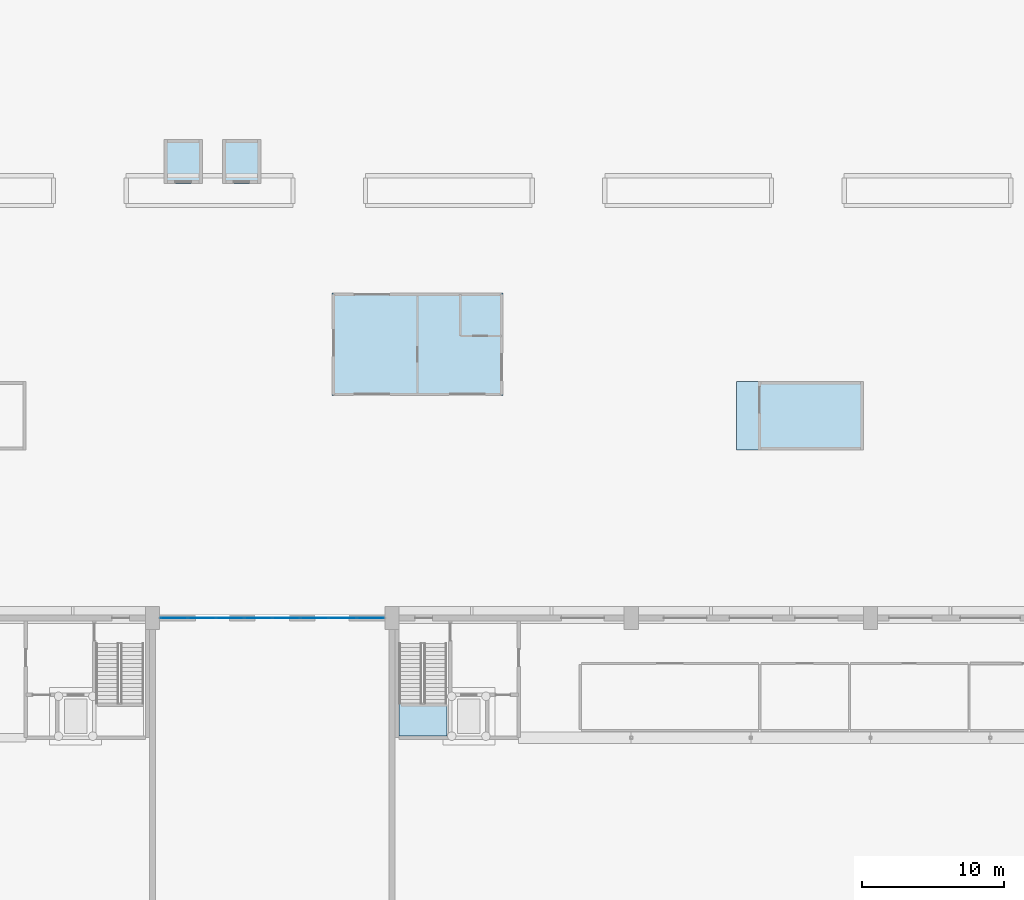
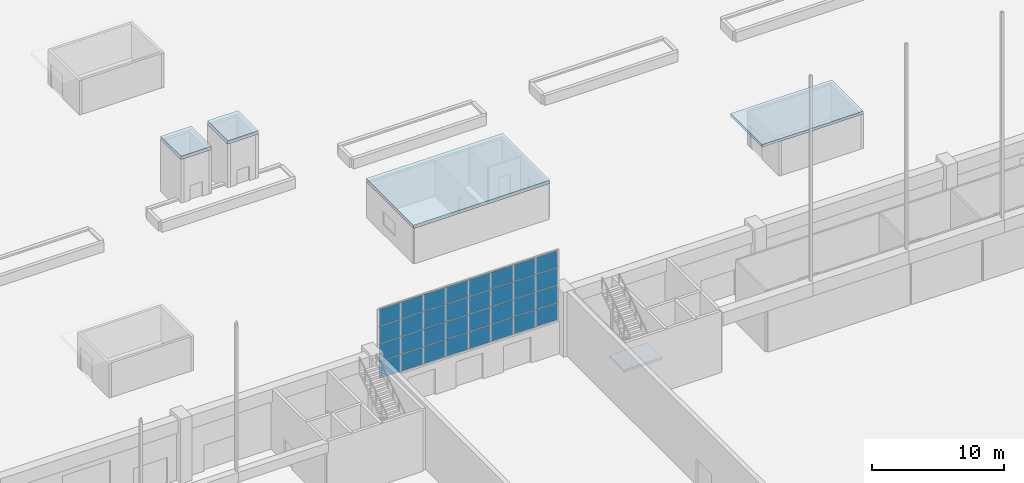
# One storey, part 94 of 210: 32 plates, 5 slabs, 2 elements without a shape of their own.
"""IFC4 building model written with IfcOpenShell, lengths in metres."""

from ifc_helpers import new_model, si_unit, direction, frame, origin, origin_2d, place, context, subcontext, project, spatial, polyline, rectangle, outline, extrude, material, layer, layer_set, type_object, element, aggregate, save


model = new_model("IFC4")

# Units and contexts
model_context = context("Model", 3, precision=1e-05, world=origin(), true_north=direction((0.0, 1.0)))
body_context = subcontext(model_context, "Body", "Model", "MODEL_VIEW")
ifc_project = project(units=[si_unit("LENGTHUNIT", "METRE"), si_unit("AREAUNIT", "SQUARE_METRE"), si_unit("VOLUMEUNIT", "CUBIC_METRE"), si_unit("PLANEANGLEUNIT", "RADIAN"), si_unit("MASSUNIT", "GRAM", prefix="KILO")], contexts=[model_context])

# Site, building, storey
site_placement = place(None, origin())
site = spatial("IfcSite", under=ifc_project, at=site_placement, CompositionType="ELEMENT")
building_placement = place(site_placement, origin())
building = spatial("IfcBuilding", under=site, at=building_placement, Name="Rain Tree Exposition and Congress Centre", CompositionType="ELEMENT")
storey_placement = place(building_placement, origin())
storey = spatial("IfcBuildingStorey", under=building, at=storey_placement, Name="L00", CompositionType="ELEMENT", Elevation=0.0)

# Curtain wall, plates
ifc_material_1 = material(Name="Gable curtain wall 2800 module")
curtain_wall_type = type_object("IfcCurtainWallType", Name="Gable curtain wall 2800 module", PredefinedType="NOTDEFINED", material=ifc_material_1)
curtain_wall_placement = place(storey_placement, origin())
curtain_wall = element("IfcCurtainWall", 1, at=curtain_wall_placement, inside=storey, type_object=curtain_wall_type, Name="Link north curtain wall", PredefinedType="NOTDEFINED")
ifc_material_2 = material(Name="Laminated glass", Category="glass")
ifc_layer_1 = layer(ifc_material_2, 0.028076171875)
ifc_layer_set_1 = layer_set([ifc_layer_1], Name="Laminated glass")
plate_type = type_object("IfcPlateType", Name="Gable glass panel 28", PredefinedType="CURTAIN_PANEL", material=ifc_layer_set_1)
plate_1_placement = place(storey_placement, frame((127.50244140625, 201.60009765625, 3.06005859375), z_axis=(0.0, 0.0, 1.0), x_axis=(1.0, 0.0, 0.0)))
plate_1 = element("IfcPlate", 2, at=plate_1_placement, type_object=plate_type, Name="CWHLN panel 1.1", PredefinedType="CURTAIN_PANEL", context=body_context, shape_type="SweptSolid", body=[
    extrude(rectangle(XDim=1.885009765625, YDim=0.028076171875, at=origin_2d()), origin(), (0.0, 0.0, 1.0), 1.547607421875),
])
plate_2_placement = place(storey_placement, frame((127.50244140625, 201.60009765625, 4.66748046875), z_axis=(0.0, 0.0, 1.0), x_axis=(1.0, 0.0, 0.0)))
plate_2 = element("IfcPlate", 3, at=plate_2_placement, type_object=plate_type, Name="CWHLN panel 1.2", PredefinedType="CURTAIN_PANEL", context=body_context, shape_type="SweptSolid", body=[
    extrude(rectangle(XDim=1.885009765625, YDim=0.028076171875, at=origin_2d()), origin(), (0.0, 0.0, 1.0), 1.577392578125),
])
plate_3_placement = place(storey_placement, frame((127.50244140625, 201.60009765625, 6.30517578125), z_axis=(0.0, 0.0, 1.0), x_axis=(1.0, 0.0, 0.0)))
plate_3 = element("IfcPlate", 4, at=plate_3_placement, type_object=plate_type, Name="CWHLN panel 1.3", PredefinedType="CURTAIN_PANEL", context=body_context, shape_type="SweptSolid", body=[
    extrude(rectangle(XDim=1.885009765625, YDim=0.028076171875, at=origin_2d()), origin(), (0.0, 0.0, 1.0), 1.577392578125),
])
plate_4_placement = place(storey_placement, frame((127.50244140625, 201.60009765625, 7.9423828125), z_axis=(0.0, 0.0, 1.0), x_axis=(1.0, 0.0, 0.0)))
plate_4 = element("IfcPlate", 5, at=plate_4_placement, type_object=plate_type, Name="CWHLN panel 1.4", PredefinedType="CURTAIN_PANEL", context=body_context, shape_type="SweptSolid", body=[
    extrude(rectangle(XDim=1.885009765625, YDim=0.028076171875, at=origin_2d()), origin(), (0.0, 0.0, 1.0), 1.547607421875),
])
plate_5_placement = place(storey_placement, frame((129.46240234375, 201.60009765625, 3.06005859375), z_axis=(0.0, 0.0, 1.0), x_axis=(1.0, 0.0, 0.0)))
plate_5 = element("IfcPlate", 6, at=plate_5_placement, type_object=plate_type, Name="CWHLN panel 2.1", PredefinedType="CURTAIN_PANEL", context=body_context, shape_type="SweptSolid", body=[
    extrude(rectangle(XDim=1.9150390625, YDim=0.028076171875, at=origin_2d()), origin(), (0.0, 0.0, 1.0), 1.547607421875),
])
plate_6_placement = place(storey_placement, frame((129.46240234375, 201.60009765625, 4.66748046875), z_axis=(0.0, 0.0, 1.0), x_axis=(1.0, 0.0, 0.0)))
plate_6 = element("IfcPlate", 7, at=plate_6_placement, type_object=plate_type, Name="CWHLN panel 2.2", PredefinedType="CURTAIN_PANEL", context=body_context, shape_type="SweptSolid", body=[
    extrude(rectangle(XDim=1.9150390625, YDim=0.028076171875, at=origin_2d()), origin(), (0.0, 0.0, 1.0), 1.577392578125),
])
plate_7_placement = place(storey_placement, frame((129.46240234375, 201.60009765625, 6.30517578125), z_axis=(0.0, 0.0, 1.0), x_axis=(1.0, 0.0, 0.0)))
plate_7 = element("IfcPlate", 8, at=plate_7_placement, type_object=plate_type, Name="CWHLN panel 2.3", PredefinedType="CURTAIN_PANEL", context=body_context, shape_type="SweptSolid", body=[
    extrude(rectangle(XDim=1.9150390625, YDim=0.028076171875, at=origin_2d()), origin(), (0.0, 0.0, 1.0), 1.577392578125),
])
plate_8_placement = place(storey_placement, frame((129.46240234375, 201.60009765625, 7.9423828125), z_axis=(0.0, 0.0, 1.0), x_axis=(1.0, 0.0, 0.0)))
plate_8 = element("IfcPlate", 9, at=plate_8_placement, type_object=plate_type, Name="CWHLN panel 2.4", PredefinedType="CURTAIN_PANEL", context=body_context, shape_type="SweptSolid", body=[
    extrude(rectangle(XDim=1.9150390625, YDim=0.028076171875, at=origin_2d()), origin(), (0.0, 0.0, 1.0), 1.547607421875),
])
plate_9_placement = place(storey_placement, frame((131.4375, 201.60009765625, 3.06005859375), z_axis=(0.0, 0.0, 1.0), x_axis=(1.0, 0.0, 0.0)))
plate_9 = element("IfcPlate", 10, at=plate_9_placement, type_object=plate_type, Name="CWHLN panel 3.1", PredefinedType="CURTAIN_PANEL", context=body_context, shape_type="SweptSolid", body=[
    extrude(rectangle(XDim=1.9150390625, YDim=0.028076171875, at=origin_2d()), origin(), (0.0, 0.0, 1.0), 1.547607421875),
])
plate_10_placement = place(storey_placement, frame((131.4375, 201.60009765625, 4.66748046875), z_axis=(0.0, 0.0, 1.0), x_axis=(1.0, 0.0, 0.0)))
plate_10 = element("IfcPlate", 11, at=plate_10_placement, type_object=plate_type, Name="CWHLN panel 3.2", PredefinedType="CURTAIN_PANEL", context=body_context, shape_type="SweptSolid", body=[
    extrude(rectangle(XDim=1.9150390625, YDim=0.028076171875, at=origin_2d()), origin(), (0.0, 0.0, 1.0), 1.577392578125),
])
plate_11_placement = place(storey_placement, frame((131.4375, 201.60009765625, 6.30517578125), z_axis=(0.0, 0.0, 1.0), x_axis=(1.0, 0.0, 0.0)))
plate_11 = element("IfcPlate", 12, at=plate_11_placement, type_object=plate_type, Name="CWHLN panel 3.3", PredefinedType="CURTAIN_PANEL", context=body_context, shape_type="SweptSolid", body=[
    extrude(rectangle(XDim=1.9150390625, YDim=0.028076171875, at=origin_2d()), origin(), (0.0, 0.0, 1.0), 1.577392578125),
])
plate_12_placement = place(storey_placement, frame((131.4375, 201.60009765625, 7.9423828125), z_axis=(0.0, 0.0, 1.0), x_axis=(1.0, 0.0, 0.0)))
plate_12 = element("IfcPlate", 13, at=plate_12_placement, type_object=plate_type, Name="CWHLN panel 3.4", PredefinedType="CURTAIN_PANEL", context=body_context, shape_type="SweptSolid", body=[
    extrude(rectangle(XDim=1.9150390625, YDim=0.028076171875, at=origin_2d()), origin(), (0.0, 0.0, 1.0), 1.547607421875),
])
plate_13_placement = place(storey_placement, frame((133.41259765625, 201.60009765625, 3.06005859375), z_axis=(0.0, 0.0, 1.0), x_axis=(1.0, 0.0, 0.0)))
plate_13 = element("IfcPlate", 14, at=plate_13_placement, type_object=plate_type, Name="CWHLN panel 4.1", PredefinedType="CURTAIN_PANEL", context=body_context, shape_type="SweptSolid", body=[
    extrude(rectangle(XDim=1.9150390625, YDim=0.028076171875, at=origin_2d()), origin(), (0.0, 0.0, 1.0), 1.547607421875),
])
plate_14_placement = place(storey_placement, frame((133.41259765625, 201.60009765625, 4.66748046875), z_axis=(0.0, 0.0, 1.0), x_axis=(1.0, 0.0, 0.0)))
plate_14 = element("IfcPlate", 15, at=plate_14_placement, type_object=plate_type, Name="CWHLN panel 4.2", PredefinedType="CURTAIN_PANEL", context=body_context, shape_type="SweptSolid", body=[
    extrude(rectangle(XDim=1.9150390625, YDim=0.028076171875, at=origin_2d()), origin(), (0.0, 0.0, 1.0), 1.577392578125),
])
plate_15_placement = place(storey_placement, frame((133.41259765625, 201.60009765625, 6.30517578125), z_axis=(0.0, 0.0, 1.0), x_axis=(1.0, 0.0, 0.0)))
plate_15 = element("IfcPlate", 16, at=plate_15_placement, type_object=plate_type, Name="CWHLN panel 4.3", PredefinedType="CURTAIN_PANEL", context=body_context, shape_type="SweptSolid", body=[
    extrude(rectangle(XDim=1.9150390625, YDim=0.028076171875, at=origin_2d()), origin(), (0.0, 0.0, 1.0), 1.577392578125),
])
plate_16_placement = place(storey_placement, frame((133.41259765625, 201.60009765625, 7.9423828125), z_axis=(0.0, 0.0, 1.0), x_axis=(1.0, 0.0, 0.0)))
plate_16 = element("IfcPlate", 17, at=plate_16_placement, type_object=plate_type, Name="CWHLN panel 4.4", PredefinedType="CURTAIN_PANEL", context=body_context, shape_type="SweptSolid", body=[
    extrude(rectangle(XDim=1.9150390625, YDim=0.028076171875, at=origin_2d()), origin(), (0.0, 0.0, 1.0), 1.547607421875),
])
plate_17_placement = place(storey_placement, frame((135.387451171875, 201.60009765625, 3.06005859375), z_axis=(0.0, 0.0, 1.0), x_axis=(1.0, 0.0, 0.0)))
plate_17 = element("IfcPlate", 18, at=plate_17_placement, type_object=plate_type, Name="CWHLN panel 5.1", PredefinedType="CURTAIN_PANEL", context=body_context, shape_type="SweptSolid", body=[
    extrude(rectangle(XDim=1.9150390625, YDim=0.028076171875, at=origin_2d()), origin(), (0.0, 0.0, 1.0), 1.547607421875),
])
plate_18_placement = place(storey_placement, frame((135.387451171875, 201.60009765625, 4.66748046875), z_axis=(0.0, 0.0, 1.0), x_axis=(1.0, 0.0, 0.0)))
plate_18 = element("IfcPlate", 19, at=plate_18_placement, type_object=plate_type, Name="CWHLN panel 5.2", PredefinedType="CURTAIN_PANEL", context=body_context, shape_type="SweptSolid", body=[
    extrude(rectangle(XDim=1.9150390625, YDim=0.028076171875, at=origin_2d()), origin(), (0.0, 0.0, 1.0), 1.577392578125),
])
plate_19_placement = place(storey_placement, frame((135.387451171875, 201.60009765625, 6.30517578125), z_axis=(0.0, 0.0, 1.0), x_axis=(1.0, 0.0, 0.0)))
plate_19 = element("IfcPlate", 20, at=plate_19_placement, type_object=plate_type, Name="CWHLN panel 5.3", PredefinedType="CURTAIN_PANEL", context=body_context, shape_type="SweptSolid", body=[
    extrude(rectangle(XDim=1.9150390625, YDim=0.028076171875, at=origin_2d()), origin(), (0.0, 0.0, 1.0), 1.577392578125),
])
plate_20_placement = place(storey_placement, frame((135.387451171875, 201.60009765625, 7.9423828125), z_axis=(0.0, 0.0, 1.0), x_axis=(1.0, 0.0, 0.0)))
plate_20 = element("IfcPlate", 21, at=plate_20_placement, type_object=plate_type, Name="CWHLN panel 5.4", PredefinedType="CURTAIN_PANEL", context=body_context, shape_type="SweptSolid", body=[
    extrude(rectangle(XDim=1.9150390625, YDim=0.028076171875, at=origin_2d()), origin(), (0.0, 0.0, 1.0), 1.547607421875),
])
plate_21_placement = place(storey_placement, frame((137.362548828125, 201.60009765625, 3.06005859375), z_axis=(0.0, 0.0, 1.0), x_axis=(1.0, 0.0, 0.0)))
plate_21 = element("IfcPlate", 22, at=plate_21_placement, type_object=plate_type, Name="CWHLN panel 6.1", PredefinedType="CURTAIN_PANEL", context=body_context, shape_type="SweptSolid", body=[
    extrude(rectangle(XDim=1.9150390625, YDim=0.028076171875, at=origin_2d()), origin(), (0.0, 0.0, 1.0), 1.547607421875),
])
plate_22_placement = place(storey_placement, frame((137.362548828125, 201.60009765625, 4.66748046875), z_axis=(0.0, 0.0, 1.0), x_axis=(1.0, 0.0, 0.0)))
plate_22 = element("IfcPlate", 23, at=plate_22_placement, type_object=plate_type, Name="CWHLN panel 6.2", PredefinedType="CURTAIN_PANEL", context=body_context, shape_type="SweptSolid", body=[
    extrude(rectangle(XDim=1.9150390625, YDim=0.028076171875, at=origin_2d()), origin(), (0.0, 0.0, 1.0), 1.577392578125),
])
plate_23_placement = place(storey_placement, frame((137.362548828125, 201.60009765625, 6.30517578125), z_axis=(0.0, 0.0, 1.0), x_axis=(1.0, 0.0, 0.0)))
plate_23 = element("IfcPlate", 24, at=plate_23_placement, type_object=plate_type, Name="CWHLN panel 6.3", PredefinedType="CURTAIN_PANEL", context=body_context, shape_type="SweptSolid", body=[
    extrude(rectangle(XDim=1.9150390625, YDim=0.028076171875, at=origin_2d()), origin(), (0.0, 0.0, 1.0), 1.577392578125),
])
plate_24_placement = place(storey_placement, frame((137.362548828125, 201.60009765625, 7.9423828125), z_axis=(0.0, 0.0, 1.0), x_axis=(1.0, 0.0, 0.0)))
plate_24 = element("IfcPlate", 25, at=plate_24_placement, type_object=plate_type, Name="CWHLN panel 6.4", PredefinedType="CURTAIN_PANEL", context=body_context, shape_type="SweptSolid", body=[
    extrude(rectangle(XDim=1.9150390625, YDim=0.028076171875, at=origin_2d()), origin(), (0.0, 0.0, 1.0), 1.547607421875),
])
plate_25_placement = place(storey_placement, frame((139.33740234375, 201.60009765625, 3.06005859375), z_axis=(0.0, 0.0, 1.0), x_axis=(1.0, 0.0, 0.0)))
plate_25 = element("IfcPlate", 26, at=plate_25_placement, type_object=plate_type, Name="CWHLN panel 7.1", PredefinedType="CURTAIN_PANEL", context=body_context, shape_type="SweptSolid", body=[
    extrude(rectangle(XDim=1.9150390625, YDim=0.028076171875, at=origin_2d()), origin(), (0.0, 0.0, 1.0), 1.547607421875),
])
plate_26_placement = place(storey_placement, frame((139.33740234375, 201.60009765625, 4.66748046875), z_axis=(0.0, 0.0, 1.0), x_axis=(1.0, 0.0, 0.0)))
plate_26 = element("IfcPlate", 27, at=plate_26_placement, type_object=plate_type, Name="CWHLN panel 7.2", PredefinedType="CURTAIN_PANEL", context=body_context, shape_type="SweptSolid", body=[
    extrude(rectangle(XDim=1.9150390625, YDim=0.028076171875, at=origin_2d()), origin(), (0.0, 0.0, 1.0), 1.577392578125),
])
plate_27_placement = place(storey_placement, frame((139.33740234375, 201.60009765625, 6.30517578125), z_axis=(0.0, 0.0, 1.0), x_axis=(1.0, 0.0, 0.0)))
plate_27 = element("IfcPlate", 28, at=plate_27_placement, type_object=plate_type, Name="CWHLN panel 7.3", PredefinedType="CURTAIN_PANEL", context=body_context, shape_type="SweptSolid", body=[
    extrude(rectangle(XDim=1.9150390625, YDim=0.028076171875, at=origin_2d()), origin(), (0.0, 0.0, 1.0), 1.577392578125),
])
plate_28_placement = place(storey_placement, frame((139.33740234375, 201.60009765625, 7.9423828125), z_axis=(0.0, 0.0, 1.0), x_axis=(1.0, 0.0, 0.0)))
plate_28 = element("IfcPlate", 29, at=plate_28_placement, type_object=plate_type, Name="CWHLN panel 7.4", PredefinedType="CURTAIN_PANEL", context=body_context, shape_type="SweptSolid", body=[
    extrude(rectangle(XDim=1.9150390625, YDim=0.028076171875, at=origin_2d()), origin(), (0.0, 0.0, 1.0), 1.547607421875),
])
plate_29_placement = place(storey_placement, frame((141.297607421875, 201.60009765625, 3.06005859375), z_axis=(0.0, 0.0, 1.0), x_axis=(1.0, 0.0, 0.0)))
plate_29 = element("IfcPlate", 30, at=plate_29_placement, type_object=plate_type, Name="CWHLN panel 8.1", PredefinedType="CURTAIN_PANEL", context=body_context, shape_type="SweptSolid", body=[
    extrude(rectangle(XDim=1.885009765625, YDim=0.028076171875, at=origin_2d()), origin(), (0.0, 0.0, 1.0), 1.547607421875),
])
plate_30_placement = place(storey_placement, frame((141.297607421875, 201.60009765625, 4.66748046875), z_axis=(0.0, 0.0, 1.0), x_axis=(1.0, 0.0, 0.0)))
plate_30 = element("IfcPlate", 31, at=plate_30_placement, type_object=plate_type, Name="CWHLN panel 8.2", PredefinedType="CURTAIN_PANEL", context=body_context, shape_type="SweptSolid", body=[
    extrude(rectangle(XDim=1.885009765625, YDim=0.028076171875, at=origin_2d()), origin(), (0.0, 0.0, 1.0), 1.577392578125),
])
plate_31_placement = place(storey_placement, frame((141.297607421875, 201.60009765625, 6.30517578125), z_axis=(0.0, 0.0, 1.0), x_axis=(1.0, 0.0, 0.0)))
plate_31 = element("IfcPlate", 32, at=plate_31_placement, type_object=plate_type, Name="CWHLN panel 8.3", PredefinedType="CURTAIN_PANEL", context=body_context, shape_type="SweptSolid", body=[
    extrude(rectangle(XDim=1.885009765625, YDim=0.028076171875, at=origin_2d()), origin(), (0.0, 0.0, 1.0), 1.577392578125),
])
plate_32_placement = place(storey_placement, frame((141.297607421875, 201.60009765625, 7.9423828125), z_axis=(0.0, 0.0, 1.0), x_axis=(1.0, 0.0, 0.0)))
plate_32 = element("IfcPlate", 33, at=plate_32_placement, type_object=plate_type, Name="CWHLN panel 8.4", PredefinedType="CURTAIN_PANEL", context=body_context, shape_type="SweptSolid", body=[
    extrude(rectangle(XDim=1.885009765625, YDim=0.028076171875, at=origin_2d()), origin(), (0.0, 0.0, 1.0), 1.547607421875),
])
aggregate(curtain_wall, [plate_1, plate_2, plate_3, plate_4, plate_5, plate_6, plate_7, plate_8, plate_9, plate_10, plate_11, plate_12, plate_13, plate_14, plate_15, plate_16, plate_17, plate_18, plate_19, plate_20, plate_21, plate_22, plate_23, plate_24, plate_25, plate_26, plate_27, plate_28, plate_29, plate_30, plate_31, plate_32])

# Slabs
ifc_material_3 = material(Name="Concrete C40/50", Category="concrete")
ifc_layer_2 = layer(ifc_material_3, 0.300048828125)
ifc_layer_set_2 = layer_set([ifc_layer_2], Name="Concrete C40/50")
slab_type_1 = type_object("IfcSlabType", Name="Guard house roof slab 300", PredefinedType="ROOF", material=ifc_layer_set_2)
slab_1_placement = place(storey_placement, frame((0.0, 0.0, 3.300048828125)))
element("IfcSlab", 34, at=slab_1_placement, inside=storey, type_object=slab_type_1, Name="Control office roof slab", PredefinedType="ROOF", context=body_context, shape_type="SweptSolid", body=[
    extrude(outline(polyline([(150.60009765625, 217.199951171875), (150.60009765625, 224.39990234375), (138.60009765625, 224.39990234375), (138.60009765625, 217.199951171875), (150.60009765625, 217.199951171875)])), origin(), (0.0, 0.0, 1.0), 0.300048828125),
])
ifc_material_4 = material(Name="Concrete C40/50", Category="concrete")
ifc_layer_3 = layer(ifc_material_4, 0.25)
ifc_layer_set_3 = layer_set([ifc_layer_3], Name="Concrete C40/50")
slab_type_2 = type_object("IfcSlabType", Name="Lift roof slab 250", PredefinedType="ROOF", material=ifc_layer_set_3)
slab_2_placement = place(storey_placement, frame((0.0, 0.0, 3.199951171875)))
element("IfcSlab", 35, at=slab_2_placement, inside=storey, type_object=slab_type_2, Name="Exit stair N03 roof and entrance canopy", PredefinedType="ROOF", context=body_context, shape_type="SweptSolid", body=[
    extrude(outline(polyline([(167.0, 213.39990234375), (175.89990234375, 213.39990234375), (175.89990234375, 218.199951171875), (167.0, 218.199951171875), (167.0, 213.39990234375)])), origin(), (0.0, 0.0, 1.0), 0.25),
])
ifc_material_5 = material(Name="Concrete C40/50", Category="concrete")
ifc_layer_4 = layer(ifc_material_5, 0.300048828125)
ifc_layer_set_4 = layer_set([ifc_layer_4], Name="Concrete C40/50")
slab_type_3 = type_object("IfcSlabType", Name="Lift roof slab 300", PredefinedType="ROOF", material=ifc_layer_set_4)
slab_3_placement = place(storey_placement, frame((0.0, 0.0, 4.800048828125)))
element("IfcSlab", 36, at=slab_3_placement, inside=storey, type_object=slab_type_3, Name="Lift N1 roof", PredefinedType="ROOF", context=body_context, shape_type="SweptSolid", body=[
    extrude(outline(polyline([(126.800048828125, 232.10009765625), (129.5, 232.10009765625), (129.5, 235.199951171875), (126.800048828125, 235.199951171875), (126.800048828125, 232.10009765625)])), origin(), (0.0, 0.0, 1.0), 0.300048828125),
])
slab_4_placement = place(storey_placement, frame((0.0, 0.0, 4.800048828125)))
element("IfcSlab", 37, at=slab_4_placement, inside=storey, type_object=slab_type_3, Name="Lift N2 roof", PredefinedType="ROOF", context=body_context, shape_type="SweptSolid", body=[
    extrude(outline(polyline([(130.89990234375, 232.10009765625), (133.60009765625, 232.10009765625), (133.60009765625, 235.199951171875), (130.89990234375, 235.199951171875), (130.89990234375, 232.10009765625)])), origin(), (0.0, 0.0, 1.0), 0.300048828125),
])

# Stair, slab
ifc_material_6 = material(Name="Concrete C40/50", Category="concrete")
stair_type = type_object("IfcStairType", Name="Half-turn stair 1600", PredefinedType="HALF_TURN_STAIR", material=ifc_material_6)
stair_placement = place(storey_placement, origin())
stair = element("IfcStair", 38, at=stair_placement, inside=storey, type_object=stair_type, Name="L00 Stair H7", PredefinedType="HALF_TURN_STAIR")
ifc_material_7 = material(Name="Concrete C40/50", Category="concrete")
ifc_layer_5 = layer(ifc_material_7, 0.199951171875)
ifc_layer_set_5 = layer_set([ifc_layer_5], Name="Concrete C40/50")
slab_type_4 = type_object("IfcSlabType", Name="Stair landing 200", PredefinedType="LANDING", material=ifc_layer_set_5)
slab_5_placement = place(storey_placement, frame((0.0, 0.0, 2.800048828125)))
slab_5 = element("IfcSlab", 39, at=slab_5_placement, type_object=slab_type_4, Name="ST-H7 landing 1", PredefinedType="LANDING", context=body_context, shape_type="SweptSolid", body=[
    extrude(outline(polyline([(143.300048828125, 195.60009765625), (143.300048828125, 193.324951171875), (146.64990234375, 193.324951171875), (146.64990234375, 195.60009765625), (143.300048828125, 195.60009765625)])), origin(), (0.0, 0.0, 1.0), 0.199951171875),
])
aggregate(stair, [slab_5])

save(model, "model.ifc")
